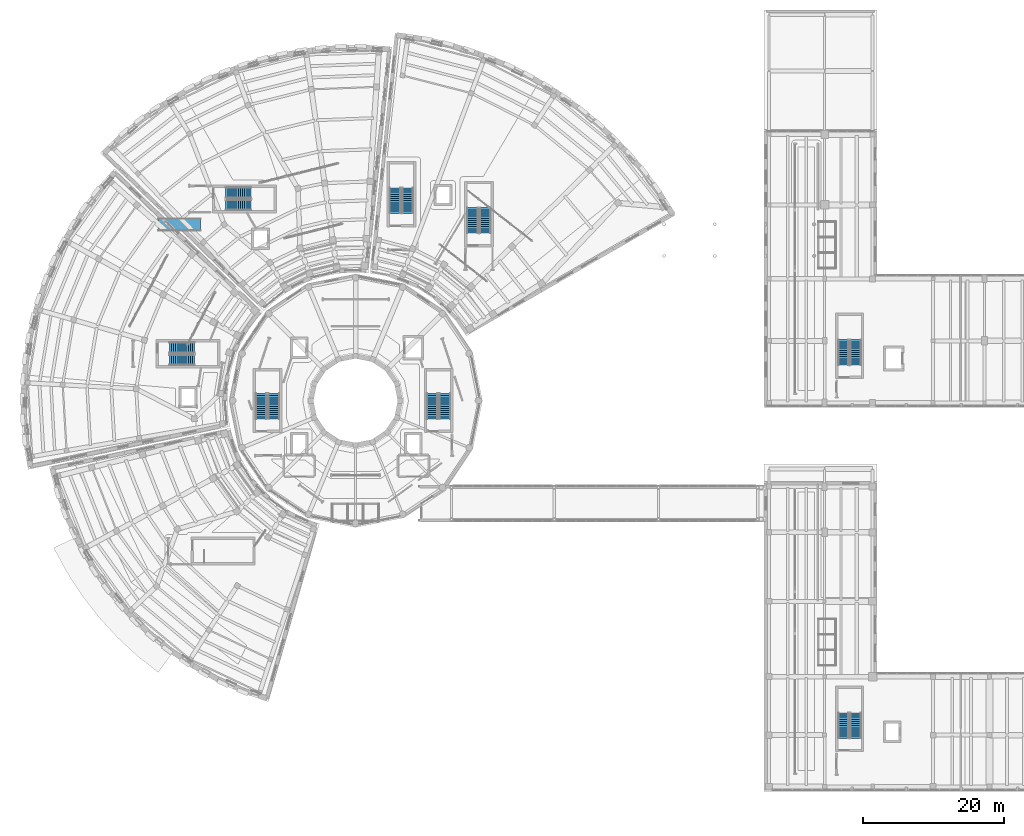
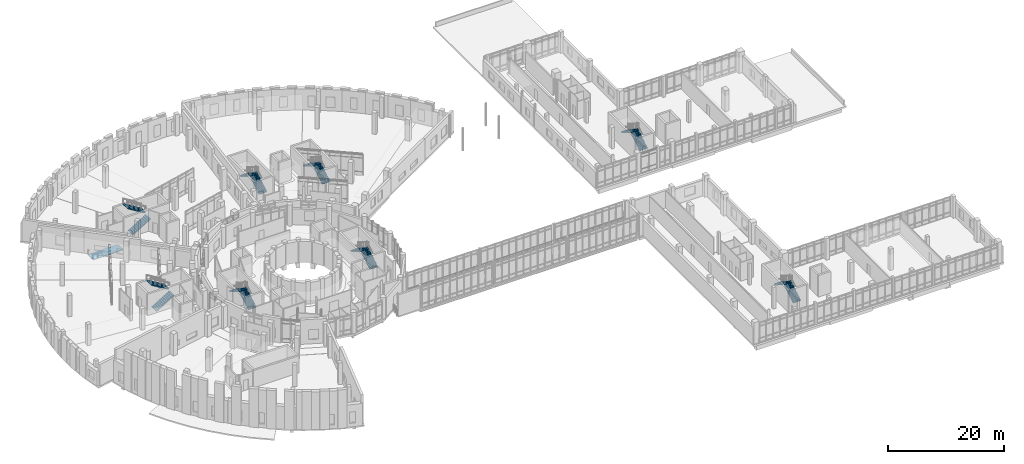
# One storey, part 74 of 89: 16 stair flights, 1 ramp flight, 9 elements without a shape of their own.
"""IFC4 building model written with IfcOpenShell, lengths in metres."""

from ifc_helpers import new_model, si_unit, direction, frame, origin, place, context, subcontext, project, spatial, polyline, outline, extrude, material, type_object, element, aggregate, save


model = new_model("IFC4")

# Units and contexts
model_context = context("Model", 3, precision=1e-05, world=origin(), true_north=direction((0.0, 1.0)))
body_context = subcontext(model_context, "Body", "Model", "MODEL_VIEW")
ifc_project = project(units=[si_unit("LENGTHUNIT", "METRE"), si_unit("AREAUNIT", "SQUARE_METRE"), si_unit("VOLUMEUNIT", "CUBIC_METRE"), si_unit("PLANEANGLEUNIT", "RADIAN"), si_unit("MASSUNIT", "GRAM", prefix="KILO")], contexts=[model_context])

# Site, building, storey
site_placement = place(None, origin())
site = spatial("IfcSite", under=ifc_project, at=site_placement, CompositionType="ELEMENT")
building_placement = place(site_placement, origin())
building = spatial("IfcBuilding", under=site, at=building_placement, Name="Soyqirgoq Riverine Aquarium", CompositionType="ELEMENT")
storey_placement = place(building_placement, frame((0.0, 0.0, 5.39990234375)))
storey = spatial("IfcBuildingStorey", under=building, at=storey_placement, Name="L02", CompositionType="ELEMENT", Elevation=5.39990234375)

# Stair, stair flights
ifc_material_1 = material(Name="Concrete C35/45", Category="concrete")
stair_type = type_object("IfcStairType", Name="CoreDoglegStair_RC", PredefinedType="HALF_TURN_STAIR", material=ifc_material_1)
stair_1_placement = place(storey_placement, origin())
stair_1 = element("IfcStair", 1, at=stair_1_placement, inside=storey, type_object=stair_type, Name="L02 Enclosed Exit Stair ST-1", PredefinedType="HALF_TURN_STAIR")
ifc_material_2 = material(Name="Concrete C35/45", Category="concrete")
stair_flight_type = type_object("IfcStairFlightType", Name="CoreStairFlight_RC", PredefinedType="STRAIGHT", material=ifc_material_2)
stair_flight_1_placement = place(storey_placement, frame((68.699951171875, 54.39990234375, 0.0), z_axis=(0.0, 0.0, 1.0), x_axis=(0.0, 1.0, 0.0)))
stair_flight_1 = element("IfcStairFlight", 2, at=stair_flight_1_placement, type_object=stair_flight_type, Name="ST-1 flight 1", NumberOfRisers=13, NumberOfTreads=12, PredefinedType="STRAIGHT", RiserHeight=0.184615385, TreadLength=0.3, context=body_context, shape_type="SweptSolid", body=[
    extrude(outline(polyline([(0.0, 0.0), (0.0, 0.1845703125), (0.300048828125, 0.1845703125), (0.300048828125, 0.369140625), (0.60009765625, 0.369140625), (0.60009765625, 0.553955078125), (0.89990234375, 0.553955078125), (0.89990234375, 0.738525390625), (1.199951171875, 0.738525390625), (1.199951171875, 0.923095703125), (1.5, 0.923095703125), (1.5, 1.107666015625), (1.800048828125, 1.107666015625), (1.800048828125, 1.292236328125), (2.10009765625, 1.292236328125), (2.10009765625, 1.476806640625), (2.39990234375, 1.476806640625), (2.39990234375, 1.66162109375), (2.699951171875, 1.66162109375), (2.699951171875, 1.84619140625), (3.0, 1.84619140625), (3.0, 2.03076171875), (3.300048828125, 2.03076171875), (3.300048828125, 2.21533203125), (3.60009765625, 2.21533203125), (3.60009765625, 2.39990234375), (3.60009765625, 2.039306640625), (0.2861328125, 0.0), (0.0, 0.0)])), frame((0.0, 0.800048828125, 0.0), z_axis=(0.0, -1.0, 0.0), x_axis=(1.0, 0.0, 0.0)), (0.0, 0.0, 1.0), 1.60009765625),
])
stair_flight_2_placement = place(storey_placement, frame((66.89990234375, 58.0, 2.400146484375), z_axis=(0.0, 0.0, 1.0), x_axis=(0.0, -1.0, 0.0)))
stair_flight_2 = element("IfcStairFlight", 3, at=stair_flight_2_placement, type_object=stair_flight_type, Name="ST-1 flight 2", NumberOfRisers=13, NumberOfTreads=12, PredefinedType="STRAIGHT", RiserHeight=0.184615385, TreadLength=0.3, context=body_context, shape_type="SweptSolid", body=[
    extrude(outline(polyline([(0.0, 0.0), (0.0, 0.1845703125), (0.300048828125, 0.1845703125), (0.300048828125, 0.369140625), (0.60009765625, 0.369140625), (0.60009765625, 0.553955078125), (0.89990234375, 0.553955078125), (0.89990234375, 0.738525390625), (1.199951171875, 0.738525390625), (1.199951171875, 0.923095703125), (1.5, 0.923095703125), (1.5, 1.107666015625), (1.800048828125, 1.107666015625), (1.800048828125, 1.292236328125), (2.10009765625, 1.292236328125), (2.10009765625, 1.476806640625), (2.39990234375, 1.476806640625), (2.39990234375, 1.66162109375), (2.699951171875, 1.66162109375), (2.699951171875, 1.84619140625), (3.0, 1.84619140625), (3.0, 2.03076171875), (3.300048828125, 2.03076171875), (3.300048828125, 2.21533203125), (3.60009765625, 2.21533203125), (3.60009765625, 2.39990234375), (3.60009765625, 2.039306640625), (0.2861328125, 0.0), (0.0, 0.0)])), frame((0.0, 0.800048828125, 0.0), z_axis=(0.0, -1.0, 0.0), x_axis=(1.0, 0.0, 0.0)), (0.0, 0.0, 1.0), 1.60009765625),
])
aggregate(stair_1, [stair_flight_1, stair_flight_2])

stair_2_placement = place(storey_placement, origin())
stair_2 = element("IfcStair", 4, at=stair_2_placement, inside=storey, type_object=stair_type, Name="L02 Enclosed Exit Stair ST-9", PredefinedType="HALF_TURN_STAIR")
stair_flight_3_placement = place(storey_placement, frame((44.39990234375, 54.39990234375, 0.0), z_axis=(0.0, 0.0, 1.0), x_axis=(0.0, 1.0, 0.0)))
stair_flight_3 = element("IfcStairFlight", 5, at=stair_flight_3_placement, type_object=stair_flight_type, Name="ST-9 flight 1", NumberOfRisers=13, NumberOfTreads=12, PredefinedType="STRAIGHT", RiserHeight=0.184615385, TreadLength=0.3, context=body_context, shape_type="SweptSolid", body=[
    extrude(outline(polyline([(0.0, 0.0), (0.0, 0.1845703125), (0.300048828125, 0.1845703125), (0.300048828125, 0.369140625), (0.60009765625, 0.369140625), (0.60009765625, 0.553955078125), (0.89990234375, 0.553955078125), (0.89990234375, 0.738525390625), (1.199951171875, 0.738525390625), (1.199951171875, 0.923095703125), (1.5, 0.923095703125), (1.5, 1.107666015625), (1.800048828125, 1.107666015625), (1.800048828125, 1.292236328125), (2.10009765625, 1.292236328125), (2.10009765625, 1.476806640625), (2.39990234375, 1.476806640625), (2.39990234375, 1.66162109375), (2.699951171875, 1.66162109375), (2.699951171875, 1.84619140625), (3.0, 1.84619140625), (3.0, 2.03076171875), (3.300048828125, 2.03076171875), (3.300048828125, 2.21533203125), (3.60009765625, 2.21533203125), (3.60009765625, 2.39990234375), (3.60009765625, 2.039306640625), (0.2861328125, 0.0), (0.0, 0.0)])), frame((0.0, 0.800048828125, 0.0), z_axis=(0.0, -1.0, 0.0), x_axis=(1.0, 0.0, 0.0)), (0.0, 0.0, 1.0), 1.60009765625),
])
stair_flight_4_placement = place(storey_placement, frame((42.60009765625, 58.0, 2.400146484375), z_axis=(0.0, 0.0, 1.0), x_axis=(0.0, -1.0, 0.0)))
stair_flight_4 = element("IfcStairFlight", 6, at=stair_flight_4_placement, type_object=stair_flight_type, Name="ST-9 flight 2", NumberOfRisers=13, NumberOfTreads=12, PredefinedType="STRAIGHT", RiserHeight=0.184615385, TreadLength=0.3, context=body_context, shape_type="SweptSolid", body=[
    extrude(outline(polyline([(0.0, 0.0), (0.0, 0.1845703125), (0.300048828125, 0.1845703125), (0.300048828125, 0.369140625), (0.60009765625, 0.369140625), (0.60009765625, 0.553955078125), (0.89990234375, 0.553955078125), (0.89990234375, 0.738525390625), (1.199951171875, 0.738525390625), (1.199951171875, 0.923095703125), (1.5, 0.923095703125), (1.5, 1.107666015625), (1.800048828125, 1.107666015625), (1.800048828125, 1.292236328125), (2.10009765625, 1.292236328125), (2.10009765625, 1.476806640625), (2.39990234375, 1.476806640625), (2.39990234375, 1.66162109375), (2.699951171875, 1.66162109375), (2.699951171875, 1.84619140625), (3.0, 1.84619140625), (3.0, 2.03076171875), (3.300048828125, 2.03076171875), (3.300048828125, 2.21533203125), (3.60009765625, 2.21533203125), (3.60009765625, 2.39990234375), (3.60009765625, 2.039306640625), (0.2861328125, 0.0), (0.0, 0.0)])), frame((0.0, 0.800048828125, 0.0), z_axis=(0.0, -1.0, 0.0), x_axis=(1.0, 0.0, 0.0)), (0.0, 0.0, 1.0), 1.60009765625),
])
aggregate(stair_2, [stair_flight_3, stair_flight_4])

stair_3_placement = place(storey_placement, origin())
stair_3 = element("IfcStair", 7, at=stair_3_placement, inside=storey, type_object=stair_type, Name="L02 Enclosed Exit Stair ST-3", PredefinedType="HALF_TURN_STAIR")
stair_flight_5_placement = place(storey_placement, frame((29.550048828125, 62.77490234375, 0.0), z_axis=(0.0, 0.0, 1.0), x_axis=(1.0, 0.0, 0.0)))
stair_flight_5 = element("IfcStairFlight", 8, at=stair_flight_5_placement, type_object=stair_flight_type, Name="ST-3 flight 1", NumberOfRisers=13, NumberOfTreads=12, PredefinedType="STRAIGHT", RiserHeight=0.184615385, TreadLength=0.3, context=body_context, shape_type="SweptSolid", body=[
    extrude(outline(polyline([(0.0, 0.0), (0.0, 0.1845703125), (0.300048828125, 0.1845703125), (0.300048828125, 0.369140625), (0.60009765625, 0.369140625), (0.60009765625, 0.553955078125), (0.89990234375, 0.553955078125), (0.89990234375, 0.738525390625), (1.199951171875, 0.738525390625), (1.199951171875, 0.923095703125), (1.5, 0.923095703125), (1.5, 1.107666015625), (1.800048828125, 1.107666015625), (1.800048828125, 1.292236328125), (2.10009765625, 1.292236328125), (2.10009765625, 1.476806640625), (2.39990234375, 1.476806640625), (2.39990234375, 1.66162109375), (2.699951171875, 1.66162109375), (2.699951171875, 1.84619140625), (3.0, 1.84619140625), (3.0, 2.03076171875), (3.300048828125, 2.03076171875), (3.300048828125, 2.21533203125), (3.60009765625, 2.21533203125), (3.60009765625, 2.39990234375), (3.60009765625, 2.039306640625), (0.2861328125, 0.0), (0.0, 0.0)])), frame((0.0, 0.77490234375, 0.0), z_axis=(0.0, -1.0, 0.0), x_axis=(1.0, 0.0, 0.0)), (0.0, 0.0, 1.0), 1.550048828125),
])
stair_flight_6_placement = place(storey_placement, frame((33.14990234375, 64.52490234375, 2.400146484375), z_axis=(0.0, 0.0, 1.0), x_axis=(-1.0, 0.0, 0.0)))
stair_flight_6 = element("IfcStairFlight", 9, at=stair_flight_6_placement, type_object=stair_flight_type, Name="ST-3 flight 2", NumberOfRisers=13, NumberOfTreads=12, PredefinedType="STRAIGHT", RiserHeight=0.184615385, TreadLength=0.3, context=body_context, shape_type="SweptSolid", body=[
    extrude(outline(polyline([(0.0, 0.0), (0.0, 0.1845703125), (0.300048828125, 0.1845703125), (0.300048828125, 0.369140625), (0.60009765625, 0.369140625), (0.60009765625, 0.553955078125), (0.89990234375, 0.553955078125), (0.89990234375, 0.738525390625), (1.199951171875, 0.738525390625), (1.199951171875, 0.923095703125), (1.5, 0.923095703125), (1.5, 1.107666015625), (1.800048828125, 1.107666015625), (1.800048828125, 1.292236328125), (2.10009765625, 1.292236328125), (2.10009765625, 1.476806640625), (2.39990234375, 1.476806640625), (2.39990234375, 1.66162109375), (2.699951171875, 1.66162109375), (2.699951171875, 1.84619140625), (3.0, 1.84619140625), (3.0, 2.03076171875), (3.300048828125, 2.03076171875), (3.300048828125, 2.21533203125), (3.60009765625, 2.21533203125), (3.60009765625, 2.39990234375), (3.60009765625, 2.039306640625), (0.2861328125, 0.0), (0.0, 0.0)])), frame((0.0, 0.77490234375, 0.0), z_axis=(0.0, -1.0, 0.0), x_axis=(1.0, 0.0, 0.0)), (0.0, 0.0, 1.0), 1.550048828125),
])
aggregate(stair_3, [stair_flight_5, stair_flight_6])

stair_4_placement = place(storey_placement, origin())
stair_4 = element("IfcStair", 10, at=stair_4_placement, inside=storey, type_object=stair_type, Name="L02 Enclosed Exit Stair ST-4", PredefinedType="HALF_TURN_STAIR")
stair_flight_7_placement = place(storey_placement, frame((37.550048828125, 84.77490234375, 0.0), z_axis=(0.0, 0.0, 1.0), x_axis=(1.0, 0.0, 0.0)))
stair_flight_7 = element("IfcStairFlight", 11, at=stair_flight_7_placement, type_object=stair_flight_type, Name="ST-4 flight 1", NumberOfRisers=13, NumberOfTreads=12, PredefinedType="STRAIGHT", RiserHeight=0.184615385, TreadLength=0.3, context=body_context, shape_type="SweptSolid", body=[
    extrude(outline(polyline([(0.0, 0.0), (0.0, 0.1845703125), (0.300048828125, 0.1845703125), (0.300048828125, 0.369140625), (0.60009765625, 0.369140625), (0.60009765625, 0.553955078125), (0.89990234375, 0.553955078125), (0.89990234375, 0.738525390625), (1.199951171875, 0.738525390625), (1.199951171875, 0.923095703125), (1.5, 0.923095703125), (1.5, 1.107666015625), (1.800048828125, 1.107666015625), (1.800048828125, 1.292236328125), (2.10009765625, 1.292236328125), (2.10009765625, 1.476806640625), (2.39990234375, 1.476806640625), (2.39990234375, 1.66162109375), (2.699951171875, 1.66162109375), (2.699951171875, 1.84619140625), (3.0, 1.84619140625), (3.0, 2.03076171875), (3.300048828125, 2.03076171875), (3.300048828125, 2.21533203125), (3.60009765625, 2.21533203125), (3.60009765625, 2.39990234375), (3.60009765625, 2.039306640625), (0.2861328125, 0.0), (0.0, 0.0)])), frame((0.0, 0.77490234375, 0.0), z_axis=(0.0, -1.0, 0.0), x_axis=(1.0, 0.0, 0.0)), (0.0, 0.0, 1.0), 1.550048828125),
])
stair_flight_8_placement = place(storey_placement, frame((41.14990234375, 86.52490234375, 2.400146484375), z_axis=(0.0, 0.0, 1.0), x_axis=(-1.0, 0.0, 0.0)))
stair_flight_8 = element("IfcStairFlight", 12, at=stair_flight_8_placement, type_object=stair_flight_type, Name="ST-4 flight 2", NumberOfRisers=13, NumberOfTreads=12, PredefinedType="STRAIGHT", RiserHeight=0.184615385, TreadLength=0.3, context=body_context, shape_type="SweptSolid", body=[
    extrude(outline(polyline([(0.0, 0.0), (0.0, 0.1845703125), (0.300048828125, 0.1845703125), (0.300048828125, 0.369140625), (0.60009765625, 0.369140625), (0.60009765625, 0.553955078125), (0.89990234375, 0.553955078125), (0.89990234375, 0.738525390625), (1.199951171875, 0.738525390625), (1.199951171875, 0.923095703125), (1.5, 0.923095703125), (1.5, 1.107666015625), (1.800048828125, 1.107666015625), (1.800048828125, 1.292236328125), (2.10009765625, 1.292236328125), (2.10009765625, 1.476806640625), (2.39990234375, 1.476806640625), (2.39990234375, 1.66162109375), (2.699951171875, 1.66162109375), (2.699951171875, 1.84619140625), (3.0, 1.84619140625), (3.0, 2.03076171875), (3.300048828125, 2.03076171875), (3.300048828125, 2.21533203125), (3.60009765625, 2.21533203125), (3.60009765625, 2.39990234375), (3.60009765625, 2.039306640625), (0.2861328125, 0.0), (0.0, 0.0)])), frame((0.0, 0.77490234375, 0.0), z_axis=(0.0, -1.0, 0.0), x_axis=(1.0, 0.0, 0.0)), (0.0, 0.0, 1.0), 1.550048828125),
])
aggregate(stair_4, [stair_flight_7, stair_flight_8])

stair_5_placement = place(storey_placement, origin())
stair_5 = element("IfcStair", 13, at=stair_5_placement, inside=storey, type_object=stair_type, Name="L02 Enclosed Exit Stair ST-5", PredefinedType="HALF_TURN_STAIR")
stair_flight_9_placement = place(storey_placement, frame((63.39990234375, 83.60009765625, 0.0), z_axis=(0.0, 0.0, 1.0), x_axis=(0.0, 1.0, 0.0)))
stair_flight_9 = element("IfcStairFlight", 14, at=stair_flight_9_placement, type_object=stair_flight_type, Name="ST-5 flight 1", NumberOfRisers=13, NumberOfTreads=12, PredefinedType="STRAIGHT", RiserHeight=0.184615385, TreadLength=0.3, context=body_context, shape_type="SweptSolid", body=[
    extrude(outline(polyline([(0.0, 0.0), (0.0, 0.1845703125), (0.300048828125, 0.1845703125), (0.300048828125, 0.369140625), (0.60009765625, 0.369140625), (0.60009765625, 0.553955078125), (0.89990234375, 0.553955078125), (0.89990234375, 0.738525390625), (1.199951171875, 0.738525390625), (1.199951171875, 0.923095703125), (1.5, 0.923095703125), (1.5, 1.107666015625), (1.800048828125, 1.107666015625), (1.800048828125, 1.292236328125), (2.10009765625, 1.292236328125), (2.10009765625, 1.476806640625), (2.39990234375, 1.476806640625), (2.39990234375, 1.66162109375), (2.699951171875, 1.66162109375), (2.699951171875, 1.84619140625), (3.0, 1.84619140625), (3.0, 2.03076171875), (3.300048828125, 2.03076171875), (3.300048828125, 2.21533203125), (3.60009765625, 2.21533203125), (3.60009765625, 2.39990234375), (3.60009765625, 2.039306640625), (0.2861328125, 0.0), (0.0, 0.0)])), frame((0.0, 0.800048828125, 0.0), z_axis=(0.0, -1.0, 0.0), x_axis=(1.0, 0.0, 0.0)), (0.0, 0.0, 1.0), 1.60009765625),
])
stair_flight_10_placement = place(storey_placement, frame((61.60009765625, 87.199951171875, 2.400146484375), z_axis=(0.0, 0.0, 1.0), x_axis=(0.0, -1.0, 0.0)))
stair_flight_10 = element("IfcStairFlight", 15, at=stair_flight_10_placement, type_object=stair_flight_type, Name="ST-5 flight 2", NumberOfRisers=13, NumberOfTreads=12, PredefinedType="STRAIGHT", RiserHeight=0.184615385, TreadLength=0.3, context=body_context, shape_type="SweptSolid", body=[
    extrude(outline(polyline([(0.0, 0.0), (0.0, 0.1845703125), (0.300048828125, 0.1845703125), (0.300048828125, 0.369140625), (0.60009765625, 0.369140625), (0.60009765625, 0.553955078125), (0.89990234375, 0.553955078125), (0.89990234375, 0.738525390625), (1.199951171875, 0.738525390625), (1.199951171875, 0.923095703125), (1.5, 0.923095703125), (1.5, 1.107666015625), (1.800048828125, 1.107666015625), (1.800048828125, 1.292236328125), (2.10009765625, 1.292236328125), (2.10009765625, 1.476806640625), (2.39990234375, 1.476806640625), (2.39990234375, 1.66162109375), (2.699951171875, 1.66162109375), (2.699951171875, 1.84619140625), (3.0, 1.84619140625), (3.0, 2.03076171875), (3.300048828125, 2.03076171875), (3.300048828125, 2.21533203125), (3.60009765625, 2.21533203125), (3.60009765625, 2.39990234375), (3.60009765625, 2.039306640625), (0.2861328125, 0.0), (0.0, 0.0)])), frame((0.0, 0.800048828125, 0.0), z_axis=(0.0, -1.0, 0.0), x_axis=(1.0, 0.0, 0.0)), (0.0, 0.0, 1.0), 1.60009765625),
])
aggregate(stair_5, [stair_flight_9, stair_flight_10])

stair_6_placement = place(storey_placement, origin())
stair_6 = element("IfcStair", 16, at=stair_6_placement, inside=storey, type_object=stair_type, Name="L02 Enclosed Exit Stair ST-6", PredefinedType="HALF_TURN_STAIR")
stair_flight_11_placement = place(storey_placement, frame((74.39990234375, 80.800048828125, 0.0), z_axis=(0.0, 0.0, 1.0), x_axis=(0.0, 1.0, 0.0)))
stair_flight_11 = element("IfcStairFlight", 17, at=stair_flight_11_placement, type_object=stair_flight_type, Name="ST-6 flight 1", NumberOfRisers=13, NumberOfTreads=12, PredefinedType="STRAIGHT", RiserHeight=0.184615385, TreadLength=0.3, context=body_context, shape_type="SweptSolid", body=[
    extrude(outline(polyline([(0.0, 0.0), (0.0, 0.1845703125), (0.300048828125, 0.1845703125), (0.300048828125, 0.369140625), (0.60009765625, 0.369140625), (0.60009765625, 0.553955078125), (0.89990234375, 0.553955078125), (0.89990234375, 0.738525390625), (1.199951171875, 0.738525390625), (1.199951171875, 0.923095703125), (1.5, 0.923095703125), (1.5, 1.107666015625), (1.800048828125, 1.107666015625), (1.800048828125, 1.292236328125), (2.10009765625, 1.292236328125), (2.10009765625, 1.476806640625), (2.39990234375, 1.476806640625), (2.39990234375, 1.66162109375), (2.699951171875, 1.66162109375), (2.699951171875, 1.84619140625), (3.0, 1.84619140625), (3.0, 2.03076171875), (3.300048828125, 2.03076171875), (3.300048828125, 2.21533203125), (3.60009765625, 2.21533203125), (3.60009765625, 2.39990234375), (3.60009765625, 2.039306640625), (0.2861328125, 0.0), (0.0, 0.0)])), frame((0.0, 0.800048828125, 0.0), z_axis=(0.0, -1.0, 0.0), x_axis=(1.0, 0.0, 0.0)), (0.0, 0.0, 1.0), 1.60009765625),
])
stair_flight_12_placement = place(storey_placement, frame((72.60009765625, 84.39990234375, 2.400146484375), z_axis=(0.0, 0.0, 1.0), x_axis=(0.0, -1.0, 0.0)))
stair_flight_12 = element("IfcStairFlight", 18, at=stair_flight_12_placement, type_object=stair_flight_type, Name="ST-6 flight 2", NumberOfRisers=13, NumberOfTreads=12, PredefinedType="STRAIGHT", RiserHeight=0.184615385, TreadLength=0.3, context=body_context, shape_type="SweptSolid", body=[
    extrude(outline(polyline([(0.0, 0.0), (0.0, 0.1845703125), (0.300048828125, 0.1845703125), (0.300048828125, 0.369140625), (0.60009765625, 0.369140625), (0.60009765625, 0.553955078125), (0.89990234375, 0.553955078125), (0.89990234375, 0.738525390625), (1.199951171875, 0.738525390625), (1.199951171875, 0.923095703125), (1.5, 0.923095703125), (1.5, 1.107666015625), (1.800048828125, 1.107666015625), (1.800048828125, 1.292236328125), (2.10009765625, 1.292236328125), (2.10009765625, 1.476806640625), (2.39990234375, 1.476806640625), (2.39990234375, 1.66162109375), (2.699951171875, 1.66162109375), (2.699951171875, 1.84619140625), (3.0, 1.84619140625), (3.0, 2.03076171875), (3.300048828125, 2.03076171875), (3.300048828125, 2.21533203125), (3.60009765625, 2.21533203125), (3.60009765625, 2.39990234375), (3.60009765625, 2.039306640625), (0.2861328125, 0.0), (0.0, 0.0)])), frame((0.0, 0.800048828125, 0.0), z_axis=(0.0, -1.0, 0.0), x_axis=(1.0, 0.0, 0.0)), (0.0, 0.0, 1.0), 1.60009765625),
])
aggregate(stair_6, [stair_flight_11, stair_flight_12])

stair_7_placement = place(storey_placement, origin())
stair_7 = element("IfcStair", 19, at=stair_7_placement, inside=storey, type_object=stair_type, Name="L02 Enclosed Exit Stair ST-7", PredefinedType="HALF_TURN_STAIR")
stair_flight_13_placement = place(storey_placement, frame((127.02490234375, 9.050048828125, 0.0), z_axis=(0.0, 0.0, 1.0), x_axis=(0.0, 1.0, 0.0)))
stair_flight_13 = element("IfcStairFlight", 20, at=stair_flight_13_placement, type_object=stair_flight_type, Name="ST-7 flight 1", NumberOfRisers=13, NumberOfTreads=12, PredefinedType="STRAIGHT", RiserHeight=0.184615385, TreadLength=0.3, context=body_context, shape_type="SweptSolid", body=[
    extrude(outline(polyline([(0.0, 0.0), (0.0, 0.1845703125), (0.300048828125, 0.1845703125), (0.300048828125, 0.369140625), (0.60009765625, 0.369140625), (0.60009765625, 0.553955078125), (0.89990234375, 0.553955078125), (0.89990234375, 0.738525390625), (1.199951171875, 0.738525390625), (1.199951171875, 0.923095703125), (1.5, 0.923095703125), (1.5, 1.107666015625), (1.800048828125, 1.107666015625), (1.800048828125, 1.292236328125), (2.10009765625, 1.292236328125), (2.10009765625, 1.476806640625), (2.39990234375, 1.476806640625), (2.39990234375, 1.66162109375), (2.699951171875, 1.66162109375), (2.699951171875, 1.84619140625), (3.0, 1.84619140625), (3.0, 2.03076171875), (3.300048828125, 2.03076171875), (3.300048828125, 2.21533203125), (3.60009765625, 2.21533203125), (3.60009765625, 2.39990234375), (3.60009765625, 2.039306640625), (0.2861328125, 0.0), (0.0, 0.0)])), frame((0.0, 0.77490234375, 0.0), z_axis=(0.0, -1.0, 0.0), x_axis=(1.0, 0.0, 0.0)), (0.0, 0.0, 1.0), 1.550048828125),
])
stair_flight_14_placement = place(storey_placement, frame((125.27490234375, 12.64990234375, 2.400146484375), z_axis=(0.0, 0.0, 1.0), x_axis=(0.0, -1.0, 0.0)))
stair_flight_14 = element("IfcStairFlight", 21, at=stair_flight_14_placement, type_object=stair_flight_type, Name="ST-7 flight 2", NumberOfRisers=13, NumberOfTreads=12, PredefinedType="STRAIGHT", RiserHeight=0.184615385, TreadLength=0.3, context=body_context, shape_type="SweptSolid", body=[
    extrude(outline(polyline([(0.0, 0.0), (0.0, 0.1845703125), (0.300048828125, 0.1845703125), (0.300048828125, 0.369140625), (0.60009765625, 0.369140625), (0.60009765625, 0.553955078125), (0.89990234375, 0.553955078125), (0.89990234375, 0.738525390625), (1.199951171875, 0.738525390625), (1.199951171875, 0.923095703125), (1.5, 0.923095703125), (1.5, 1.107666015625), (1.800048828125, 1.107666015625), (1.800048828125, 1.292236328125), (2.10009765625, 1.292236328125), (2.10009765625, 1.476806640625), (2.39990234375, 1.476806640625), (2.39990234375, 1.66162109375), (2.699951171875, 1.66162109375), (2.699951171875, 1.84619140625), (3.0, 1.84619140625), (3.0, 2.03076171875), (3.300048828125, 2.03076171875), (3.300048828125, 2.21533203125), (3.60009765625, 2.21533203125), (3.60009765625, 2.39990234375), (3.60009765625, 2.039306640625), (0.2861328125, 0.0), (0.0, 0.0)])), frame((0.0, 0.77490234375, 0.0), z_axis=(0.0, -1.0, 0.0), x_axis=(1.0, 0.0, 0.0)), (0.0, 0.0, 1.0), 1.550048828125),
])
aggregate(stair_7, [stair_flight_13, stair_flight_14])

stair_8_placement = place(storey_placement, origin())
stair_8 = element("IfcStair", 22, at=stair_8_placement, inside=storey, type_object=stair_type, Name="L02 Enclosed Exit Stair ST-8", PredefinedType="HALF_TURN_STAIR")
stair_flight_15_placement = place(storey_placement, frame((127.02490234375, 62.050048828125, 0.0), z_axis=(0.0, 0.0, 1.0), x_axis=(0.0, 1.0, 0.0)))
stair_flight_15 = element("IfcStairFlight", 23, at=stair_flight_15_placement, type_object=stair_flight_type, Name="ST-8 flight 1", NumberOfRisers=13, NumberOfTreads=12, PredefinedType="STRAIGHT", RiserHeight=0.184615385, TreadLength=0.3, context=body_context, shape_type="SweptSolid", body=[
    extrude(outline(polyline([(0.0, 0.0), (0.0, 0.1845703125), (0.300048828125, 0.1845703125), (0.300048828125, 0.369140625), (0.60009765625, 0.369140625), (0.60009765625, 0.553955078125), (0.89990234375, 0.553955078125), (0.89990234375, 0.738525390625), (1.199951171875, 0.738525390625), (1.199951171875, 0.923095703125), (1.5, 0.923095703125), (1.5, 1.107666015625), (1.800048828125, 1.107666015625), (1.800048828125, 1.292236328125), (2.10009765625, 1.292236328125), (2.10009765625, 1.476806640625), (2.39990234375, 1.476806640625), (2.39990234375, 1.66162109375), (2.699951171875, 1.66162109375), (2.699951171875, 1.84619140625), (3.0, 1.84619140625), (3.0, 2.03076171875), (3.300048828125, 2.03076171875), (3.300048828125, 2.21533203125), (3.60009765625, 2.21533203125), (3.60009765625, 2.39990234375), (3.60009765625, 2.039306640625), (0.2861328125, 0.0), (0.0, 0.0)])), frame((0.0, 0.77490234375, 0.0), z_axis=(0.0, -1.0, 0.0), x_axis=(1.0, 0.0, 0.0)), (0.0, 0.0, 1.0), 1.550048828125),
])
stair_flight_16_placement = place(storey_placement, frame((125.27490234375, 65.64990234375, 2.400146484375), z_axis=(0.0, 0.0, 1.0), x_axis=(0.0, -1.0, 0.0)))
stair_flight_16 = element("IfcStairFlight", 24, at=stair_flight_16_placement, type_object=stair_flight_type, Name="ST-8 flight 2", NumberOfRisers=13, NumberOfTreads=12, PredefinedType="STRAIGHT", RiserHeight=0.184615385, TreadLength=0.3, context=body_context, shape_type="SweptSolid", body=[
    extrude(outline(polyline([(0.0, 0.0), (0.0, 0.1845703125), (0.300048828125, 0.1845703125), (0.300048828125, 0.369140625), (0.60009765625, 0.369140625), (0.60009765625, 0.553955078125), (0.89990234375, 0.553955078125), (0.89990234375, 0.738525390625), (1.199951171875, 0.738525390625), (1.199951171875, 0.923095703125), (1.5, 0.923095703125), (1.5, 1.107666015625), (1.800048828125, 1.107666015625), (1.800048828125, 1.292236328125), (2.10009765625, 1.292236328125), (2.10009765625, 1.476806640625), (2.39990234375, 1.476806640625), (2.39990234375, 1.66162109375), (2.699951171875, 1.66162109375), (2.699951171875, 1.84619140625), (3.0, 1.84619140625), (3.0, 2.03076171875), (3.300048828125, 2.03076171875), (3.300048828125, 2.21533203125), (3.60009765625, 2.21533203125), (3.60009765625, 2.39990234375), (3.60009765625, 2.039306640625), (0.2861328125, 0.0), (0.0, 0.0)])), frame((0.0, 0.77490234375, 0.0), z_axis=(0.0, -1.0, 0.0), x_axis=(1.0, 0.0, 0.0)), (0.0, 0.0, 1.0), 1.550048828125),
])
aggregate(stair_8, [stair_flight_15, stair_flight_16])

# Ramp, ramp flight
ramp_placement = place(storey_placement, origin())
ramp = element("IfcRamp", 25, at=ramp_placement, inside=storey, Name="L02 Riverine Gallery Accessible Ramp", PredefinedType="STRAIGHT_RUN_RAMP")
ramp_flight_placement = place(storey_placement, frame((28.0, 81.10009765625, -0.059814453125), z_axis=(-0.009968580182, 0.0, 0.99995031247), x_axis=(0.99995031247, 0.0, 0.009968580182)))
ramp_flight = element("IfcRampFlight", 26, at=ramp_flight_placement, Name="L02 Riverine Gallery Accessible Ramp Flight", PredefinedType="STRAIGHT", context=body_context, shape_type="SweptSolid", body=[
    extrude(outline(polyline([(0.0, 0.0), (6.000298139992933, 0.0), (6.000298139992933, 1.7998046875), (0.0, 1.7998046875), (0.0, 0.0)])), origin(), (0.0, 0.0, -1.0), 0.179931640625),
])
aggregate(ramp, [ramp_flight])

save(model, "model.ifc")
